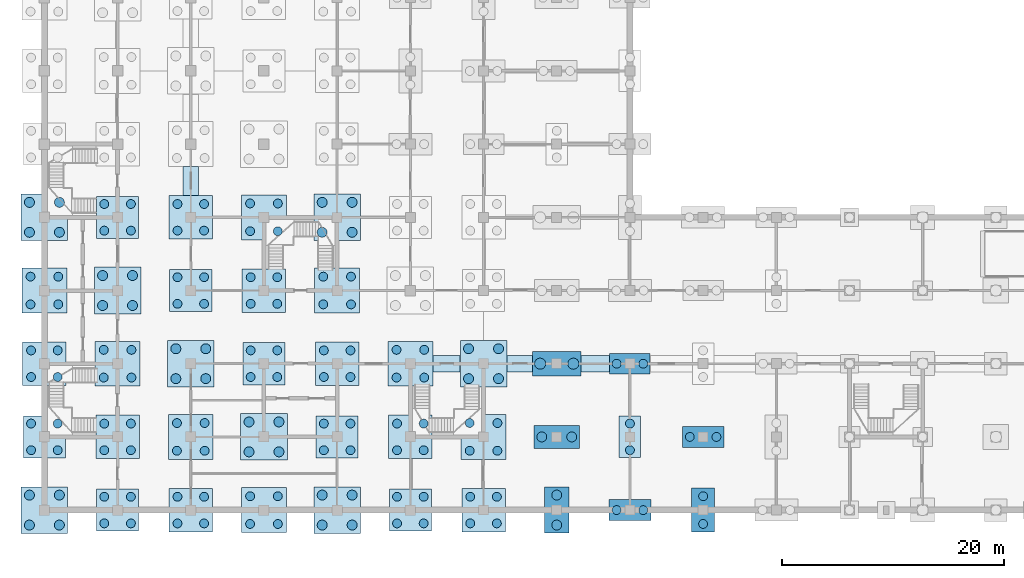
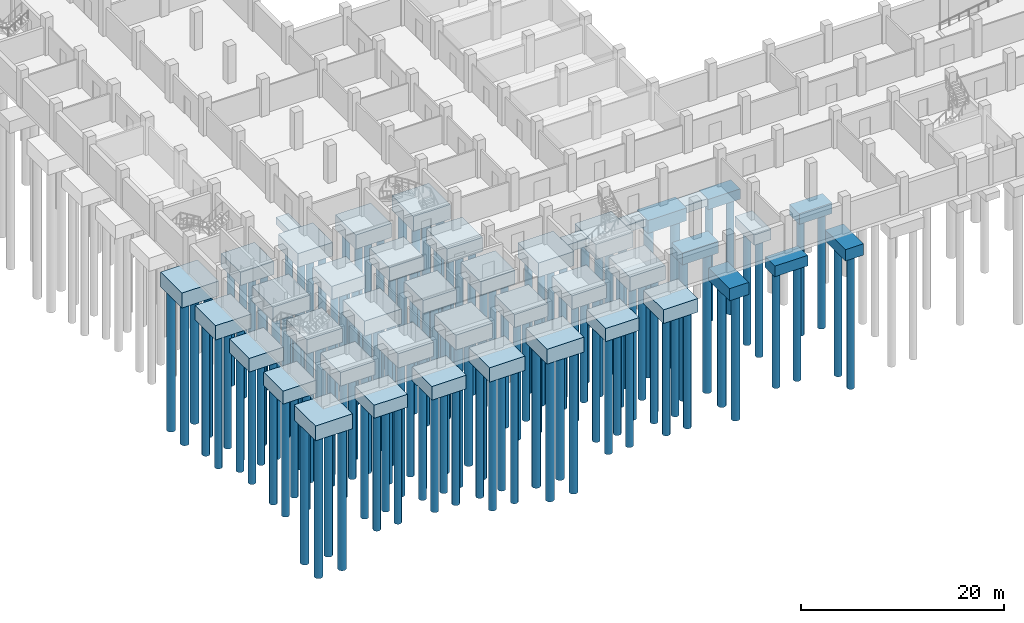
# One storey, part 1 of 18: 140 piles, 43 footings.
"""IFC4 building model written with IfcOpenShell, lengths in metres."""

from ifc_helpers import new_model, si_unit, direction, frame, origin, origin_2d, place, context, subcontext, project, spatial, rectangle, circle, extrude, material, material_profile, profile_set, type_object, element, save


model = new_model("IFC4")

# Units and contexts
model_context = context("Model", 3, precision=1e-05, world=origin(), true_north=direction((0.0, 1.0)))
body_context = subcontext(model_context, "Body", "Model", "MODEL_VIEW")
ifc_project = project(units=[si_unit("LENGTHUNIT", "METRE"), si_unit("AREAUNIT", "SQUARE_METRE"), si_unit("VOLUMEUNIT", "CUBIC_METRE"), si_unit("PLANEANGLEUNIT", "RADIAN"), si_unit("MASSUNIT", "GRAM", prefix="KILO")], contexts=[model_context])

# Site, building, storey
site_placement = place(None, origin())
site = spatial("IfcSite", under=ifc_project, at=site_placement, CompositionType="ELEMENT")
building_placement = place(site_placement, origin())
building = spatial("IfcBuilding", under=site, at=building_placement, Name="Rusizi Kubbe Research Institute", CompositionType="ELEMENT")
storey_placement = place(building_placement, frame((0.0, 0.0, -4.5)))
storey = spatial("IfcBuildingStorey", under=building, at=storey_placement, Name="B01", CompositionType="ELEMENT", Elevation=-4.5)

# Piles
ifc_material_1 = material(Name="Concrete C40/50", Category="concrete")
ifc_material_profile_1 = material_profile(ifc_material_1, circle(Radius=0.39990234375, at=origin_2d()), Name="PILE-D800")
ifc_profile_set_1 = profile_set([ifc_material_profile_1], Name="Concrete C40/50")
pile_type_1 = type_object("IfcPileType", Name="P-01", PredefinedType="BORED", material=ifc_profile_set_1)
for number, where, z_axis, x_axis, name in (
    (1, (-1.199951171875, 5.39990234375, -2.280029296875), (0.0, 0.0, -1.0), (1.0, 0.0, 0.0), "Bored Pile P-01 (0,1)-1"),
    (2, (1.199951171875, 5.39990234375, -2.280029296875), (0.0, 0.0, -1.0), (1.0, 0.0, 0.0), "Bored Pile P-01 (0,1)-2"),
    (3, (-1.199951171875, 7.800048828125, -2.280029296875), (0.0, 0.0, -1.0), (1.0, 0.0, 0.0), "Bored Pile P-01 (0,1)-3"),
    (4, (1.199951171875, 7.800048828125, -2.280029296875), (0.0, 0.0, -1.0), (1.0, 0.0, 0.0), "Bored Pile P-01 (0,1)-4"),
    (5, (-1.199951171875, 12.0, -2.35009765625), (0.0, 0.0, -1.0), (1.0, 0.0, 0.0), "Bored Pile P-01 (0,2)-1"),
    (6, (1.199951171875, 12.0, -2.35009765625), (0.0, 0.0, -1.0), (1.0, 0.0, 0.0), "Bored Pile P-01 (0,2)-2"),
    (7, (-1.199951171875, 14.39990234375, -2.35009765625), (0.0, 0.0, -1.0), (1.0, 0.0, 0.0), "Bored Pile P-01 (0,2)-3"),
    (8, (1.199951171875, 14.39990234375, -2.35009765625), (0.0, 0.0, -1.0), (1.0, 0.0, 0.0), "Bored Pile P-01 (0,2)-4"),
    (9, (5.39990234375, -1.199951171875, -2.280029296875), (0.0, 0.0, -1.0), (1.0, 0.0, 0.0), "Bored Pile P-01 (1,0)-1"),
    (10, (7.800048828125, -1.199951171875, -2.280029296875), (0.0, 0.0, -1.0), (1.0, 0.0, 0.0), "Bored Pile P-01 (1,0)-2"),
    (11, (5.39990234375, 1.199951171875, -2.280029296875), (0.0, 0.0, -1.0), (1.0, 0.0, 0.0), "Bored Pile P-01 (1,0)-3"),
    (12, (7.800048828125, 1.199951171875, -2.280029296875), (0.0, 0.0, -1.0), (1.0, 0.0, 0.0), "Bored Pile P-01 (1,0)-4"),
    (13, (5.39990234375, 5.39990234375, -2.35009765625), (0.0, 0.0, -1.0), (1.0, 0.0, 0.0), "Bored Pile P-01 (1,1)-1"),
    (14, (7.800048828125, 5.39990234375, -2.35009765625), (0.0, 0.0, -1.0), (1.0, 0.0, 0.0), "Bored Pile P-01 (1,1)-2"),
    (15, (5.39990234375, 7.800048828125, -2.35009765625), (0.0, 0.0, -1.0), (1.0, 0.0, 0.0), "Bored Pile P-01 (1,1)-3"),
    (16, (7.800048828125, 7.800048828125, -2.35009765625), (0.0, 0.0, -1.0), (1.0, 0.0, 0.0), "Bored Pile P-01 (1,1)-4"),
    (17, (5.39990234375, 25.199951171875, -2.280029296875), (0.0, 0.0, -1.0), (1.0, 0.0, 0.0), "Bored Pile P-01 (1,4)-1"),
    (18, (7.800048828125, 25.199951171875, -2.280029296875), (0.0, 0.0, -1.0), (1.0, 0.0, 0.0), "Bored Pile P-01 (1,4)-2"),
    (19, (5.39990234375, 27.60009765625, -2.280029296875), (0.0, 0.0, -1.0), (1.0, 0.0, 0.0), "Bored Pile P-01 (1,4)-3"),
    (20, (7.800048828125, 27.60009765625, -2.280029296875), (0.0, 0.0, -1.0), (1.0, 0.0, 0.0), "Bored Pile P-01 (1,4)-4"),
    (21, (12.0, -1.199951171875, -2.35009765625), (0.0, 0.0, -1.0), (1.0, 0.0, 0.0), "Bored Pile P-01 (2,0)-1"),
    (22, (14.39990234375, -1.199951171875, -2.35009765625), (0.0, 0.0, -1.0), (1.0, 0.0, 0.0), "Bored Pile P-01 (2,0)-2"),
    (23, (12.0, 1.199951171875, -2.35009765625), (0.0, 0.0, -1.0), (1.0, 0.0, 0.0), "Bored Pile P-01 (2,0)-3"),
    (24, (14.39990234375, 1.199951171875, -2.35009765625), (0.0, 0.0, -1.0), (1.0, 0.0, 0.0), "Bored Pile P-01 (2,0)-4"),
    (25, (12.0, 18.60009765625, -2.280029296875), (0.0, 0.0, -1.0), (1.0, 0.0, 0.0), "Bored Pile P-01 (2,3)-1"),
    (26, (14.39990234375, 18.60009765625, -2.280029296875), (0.0, 0.0, -1.0), (1.0, 0.0, 0.0), "Bored Pile P-01 (2,3)-2"),
    (27, (12.0, 21.0, -2.280029296875), (0.0, 0.0, -1.0), (1.0, 0.0, 0.0), "Bored Pile P-01 (2,3)-3"),
    (28, (14.39990234375, 21.0, -2.280029296875), (0.0, 0.0, -1.0), (1.0, 0.0, 0.0), "Bored Pile P-01 (2,3)-4"),
    (29, (12.0, 25.199951171875, -2.35009765625), (0.0, 0.0, -1.0), (1.0, 0.0, 0.0), "Bored Pile P-01 (2,4)-1"),
    (30, (14.39990234375, 25.199951171875, -2.35009765625), (0.0, 0.0, -1.0), (1.0, 0.0, 0.0), "Bored Pile P-01 (2,4)-2"),
    (31, (12.0, 27.60009765625, -2.35009765625), (0.0, 0.0, -1.0), (1.0, 0.0, 0.0), "Bored Pile P-01 (2,4)-3"),
    (32, (14.39990234375, 27.60009765625, -2.35009765625), (0.0, 0.0, -1.0), (1.0, 0.0, 0.0), "Bored Pile P-01 (2,4)-4"),
    (33, (18.60009765625, 12.0, -2.280029296875), (0.0, 0.0, -1.0), (1.0, 0.0, 0.0), "Bored Pile P-01 (3,2)-1"),
    (34, (21.0, 12.0, -2.280029296875), (0.0, 0.0, -1.0), (1.0, 0.0, 0.0), "Bored Pile P-01 (3,2)-2"),
    (35, (18.60009765625, 14.39990234375, -2.280029296875), (0.0, 0.0, -1.0), (1.0, 0.0, 0.0), "Bored Pile P-01 (3,2)-3"),
    (36, (21.0, 14.39990234375, -2.280029296875), (0.0, 0.0, -1.0), (1.0, 0.0, 0.0), "Bored Pile P-01 (3,2)-4"),
    (37, (18.60009765625, 18.60009765625, -2.35009765625), (0.0, 0.0, -1.0), (1.0, 0.0, 0.0), "Bored Pile P-01 (3,3)-1"),
    (38, (21.0, 18.60009765625, -2.35009765625), (0.0, 0.0, -1.0), (1.0, 0.0, 0.0), "Bored Pile P-01 (3,3)-2"),
    (39, (18.60009765625, 21.0, -2.35009765625), (0.0, 0.0, -1.0), (1.0, 0.0, 0.0), "Bored Pile P-01 (3,3)-3"),
    (40, (21.0, 21.0, -2.35009765625), (0.0, 0.0, -1.0), (1.0, 0.0, 0.0), "Bored Pile P-01 (3,3)-4"),
    (41, (25.199951171875, 5.39990234375, -2.280029296875), (0.0, 0.0, -1.0), (1.0, 0.0, 0.0), "Bored Pile P-01 (4,1)-1"),
    (42, (27.60009765625, 5.39990234375, -2.280029296875), (0.0, 0.0, -1.0), (1.0, 0.0, 0.0), "Bored Pile P-01 (4,1)-2"),
    (43, (25.199951171875, 7.800048828125, -2.280029296875), (0.0, 0.0, -1.0), (1.0, 0.0, 0.0), "Bored Pile P-01 (4,1)-3"),
    (44, (27.60009765625, 7.800048828125, -2.280029296875), (0.0, 0.0, -1.0), (1.0, 0.0, 0.0), "Bored Pile P-01 (4,1)-4"),
    (45, (25.199951171875, 12.0, -2.35009765625), (0.0, 0.0, -1.0), (1.0, 0.0, 0.0), "Bored Pile P-01 (4,2)-1"),
    (46, (27.60009765625, 12.0, -2.35009765625), (0.0, 0.0, -1.0), (1.0, 0.0, 0.0), "Bored Pile P-01 (4,2)-2"),
    (47, (25.199951171875, 14.39990234375, -2.35009765625), (0.0, 0.0, -1.0), (1.0, 0.0, 0.0), "Bored Pile P-01 (4,2)-3"),
    (48, (27.60009765625, 14.39990234375, -2.35009765625), (0.0, 0.0, -1.0), (1.0, 0.0, 0.0), "Bored Pile P-01 (4,2)-4"),
    (49, (31.800048828125, -1.199951171875, -2.280029296875), (0.0, 0.0, -1.0), (1.0, 0.0, 0.0), "Bored Pile P-01 (5,0)-1"),
    (50, (34.199951171875, -1.199951171875, -2.280029296875), (0.0, 0.0, -1.0), (1.0, 0.0, 0.0), "Bored Pile P-01 (5,0)-2"),
    (51, (31.800048828125, 1.199951171875, -2.280029296875), (0.0, 0.0, -1.0), (1.0, 0.0, 0.0), "Bored Pile P-01 (5,0)-3"),
    (52, (34.199951171875, 1.199951171875, -2.280029296875), (0.0, 0.0, -1.0), (1.0, 0.0, 0.0), "Bored Pile P-01 (5,0)-4"),
    (53, (31.800048828125, 5.39990234375, -2.35009765625), (0.0, 0.0, -1.0), (1.0, 0.0, 0.0), "Bored Pile P-01 (5,1)-1"),
    (54, (34.199951171875, 5.39990234375, -2.35009765625), (0.0, 0.0, -1.0), (1.0, 0.0, 0.0), "Bored Pile P-01 (5,1)-2"),
    (55, (31.800048828125, 7.800048828125, -2.35009765625), (0.0, 0.0, -1.0), (1.0, 0.0, 0.0), "Bored Pile P-01 (5,1)-3"),
    (56, (34.199951171875, 7.800048828125, -2.35009765625), (0.0, 0.0, -1.0), (1.0, 0.0, 0.0), "Bored Pile P-01 (5,1)-4"),
    (57, (38.39990234375, -1.199951171875, -2.35009765625), (0.0, 0.0, -1.0), (1.0, 0.0, 0.0), "Bored Pile P-01 (6,0)-1"),
    (58, (40.800048828125, -1.199951171875, -2.35009765625), (0.0, 0.0, -1.0), (1.0, 0.0, 0.0), "Bored Pile P-01 (6,0)-2"),
    (59, (38.39990234375, 1.199951171875, -2.35009765625), (0.0, 0.0, -1.0), (1.0, 0.0, 0.0), "Bored Pile P-01 (6,0)-3"),
    (60, (40.800048828125, 1.199951171875, -2.35009765625), (0.0, 0.0, -1.0), (1.0, 0.0, 0.0), "Bored Pile P-01 (6,0)-4"),
    (61, (51.60009765625, 0.0, -1.97998046875), (0.0, 0.0, -1.0), (1.0, 0.0, 0.0), "Bored Pile P-01 (8,0)-1"),
    (62, (54.0, 0.0, -1.97998046875), (0.0, 0.0, -1.0), (1.0, 0.0, 0.0), "Bored Pile P-01 (8,0)-2"),
    (63, (52.800048828125, 5.39990234375, -1.9599609375), (0.0, 0.0, -1.0), (1.0, 0.0, 0.0), "Bored Pile P-01 (8,1)-1"),
    (64, (52.800048828125, 7.800048828125, -1.9599609375), (0.0, 0.0, -1.0), (1.0, 0.0, 0.0), "Bored Pile P-01 (8,1)-2"),
    (65, (51.60009765625, 13.199951171875, -1.93994140625), (0.0, 0.0, -1.0), (1.0, 0.0, 0.0), "Bored Pile P-01 (8,2)-1"),
    (66, (54.0, 13.199951171875, -1.93994140625), (0.0, 0.0, -1.0), (1.0, 0.0, 0.0), "Bored Pile P-01 (8,2)-2"),
    (67, (58.199951171875, 6.60009765625, -1.97998046875), (0.0, 0.0, -1.0), (1.0, 0.0, 0.0), "Bored Pile P-01 (9,1)-1"),
    (68, (60.60009765625, 6.60009765625, -1.97998046875), (0.0, 0.0, -1.0), (1.0, 0.0, 0.0), "Bored Pile P-01 (9,1)-2"),
):
    element("IfcPile", number, at=place(storey_placement, frame(where, z_axis=z_axis, x_axis=x_axis)), inside=storey, type_object=pile_type_1, Name=name, PredefinedType="BORED", context=body_context, shape_type="SweptSolid", body=[
        extrude(circle(Radius=0.39990234375, at=origin_2d()), origin(), (0.0, 0.0, 1.0), 14.0),
    ])
ifc_material_2 = material(Name="Concrete C40/50", Category="concrete")
ifc_material_profile_2 = material_profile(ifc_material_2, circle(Radius=0.39990234375, at=origin_2d()), Name="PILE-D800")
ifc_profile_set_2 = profile_set([ifc_material_profile_2], Name="Concrete C40/50")
pile_type_2 = type_object("IfcPileType", Name="P-02", PredefinedType="BORED", material=ifc_profile_set_2)
for number, where, z_axis, x_axis, name in (
    (69, (-1.25, 18.550048828125, -2.419921875), (0.0, 0.0, -1.0), (1.0, 0.0, 0.0), "Bored Pile P-02 (0,3)-1"),
    (70, (1.25, 18.550048828125, -2.419921875), (0.0, 0.0, -1.0), (1.0, 0.0, 0.0), "Bored Pile P-02 (0,3)-2"),
    (71, (-1.25, 21.050048828125, -2.419921875), (0.0, 0.0, -1.0), (1.0, 0.0, 0.0), "Bored Pile P-02 (0,3)-3"),
    (72, (1.25, 21.050048828125, -2.419921875), (0.0, 0.0, -1.0), (1.0, 0.0, 0.0), "Bored Pile P-02 (0,3)-4"),
    (73, (5.35009765625, 11.949951171875, -2.419921875), (0.0, 0.0, -1.0), (1.0, 0.0, 0.0), "Bored Pile P-02 (1,2)-1"),
    (74, (7.85009765625, 11.949951171875, -2.419921875), (0.0, 0.0, -1.0), (1.0, 0.0, 0.0), "Bored Pile P-02 (1,2)-2"),
    (75, (5.35009765625, 14.449951171875, -2.419921875), (0.0, 0.0, -1.0), (1.0, 0.0, 0.0), "Bored Pile P-02 (1,2)-3"),
    (76, (7.85009765625, 14.449951171875, -2.419921875), (0.0, 0.0, -1.0), (1.0, 0.0, 0.0), "Bored Pile P-02 (1,2)-4"),
    (77, (11.949951171875, 5.35009765625, -2.419921875), (0.0, 0.0, -1.0), (1.0, 0.0, 0.0), "Bored Pile P-02 (2,1)-1"),
    (78, (14.449951171875, 5.35009765625, -2.419921875), (0.0, 0.0, -1.0), (1.0, 0.0, 0.0), "Bored Pile P-02 (2,1)-2"),
    (79, (11.949951171875, 7.85009765625, -2.419921875), (0.0, 0.0, -1.0), (1.0, 0.0, 0.0), "Bored Pile P-02 (2,1)-3"),
    (80, (14.449951171875, 7.85009765625, -2.419921875), (0.0, 0.0, -1.0), (1.0, 0.0, 0.0), "Bored Pile P-02 (2,1)-4"),
    (81, (18.550048828125, -1.25, -2.419921875), (0.0, 0.0, -1.0), (1.0, 0.0, 0.0), "Bored Pile P-02 (3,0)-1"),
    (82, (21.050048828125, -1.25, -2.419921875), (0.0, 0.0, -1.0), (1.0, 0.0, 0.0), "Bored Pile P-02 (3,0)-2"),
    (83, (18.550048828125, 1.25, -2.419921875), (0.0, 0.0, -1.0), (1.0, 0.0, 0.0), "Bored Pile P-02 (3,0)-3"),
    (84, (21.050048828125, 1.25, -2.419921875), (0.0, 0.0, -1.0), (1.0, 0.0, 0.0), "Bored Pile P-02 (3,0)-4"),
    (85, (18.550048828125, 25.14990234375, -2.419921875), (0.0, 0.0, -1.0), (1.0, 0.0, 0.0), "Bored Pile P-02 (3,4)-1"),
    (86, (21.050048828125, 25.14990234375, -2.419921875), (0.0, 0.0, -1.0), (1.0, 0.0, 0.0), "Bored Pile P-02 (3,4)-2"),
    (87, (18.550048828125, 27.64990234375, -2.419921875), (0.0, 0.0, -1.0), (1.0, 0.0, 0.0), "Bored Pile P-02 (3,4)-3"),
    (88, (21.050048828125, 27.64990234375, -2.419921875), (0.0, 0.0, -1.0), (1.0, 0.0, 0.0), "Bored Pile P-02 (3,4)-4"),
    (89, (25.14990234375, 18.550048828125, -2.419921875), (0.0, 0.0, -1.0), (1.0, 0.0, 0.0), "Bored Pile P-02 (4,3)-1"),
    (90, (27.64990234375, 18.550048828125, -2.419921875), (0.0, 0.0, -1.0), (1.0, 0.0, 0.0), "Bored Pile P-02 (4,3)-2"),
    (91, (25.14990234375, 21.050048828125, -2.419921875), (0.0, 0.0, -1.0), (1.0, 0.0, 0.0), "Bored Pile P-02 (4,3)-3"),
    (92, (27.64990234375, 21.050048828125, -2.419921875), (0.0, 0.0, -1.0), (1.0, 0.0, 0.0), "Bored Pile P-02 (4,3)-4"),
    (93, (31.75, 11.949951171875, -2.419921875), (0.0, 0.0, -1.0), (1.0, 0.0, 0.0), "Bored Pile P-02 (5,2)-1"),
    (94, (34.25, 11.949951171875, -2.419921875), (0.0, 0.0, -1.0), (1.0, 0.0, 0.0), "Bored Pile P-02 (5,2)-2"),
    (95, (31.75, 14.449951171875, -2.419921875), (0.0, 0.0, -1.0), (1.0, 0.0, 0.0), "Bored Pile P-02 (5,2)-3"),
    (96, (34.25, 14.449951171875, -2.419921875), (0.0, 0.0, -1.0), (1.0, 0.0, 0.0), "Bored Pile P-02 (5,2)-4"),
    (97, (38.35009765625, 5.35009765625, -2.419921875), (0.0, 0.0, -1.0), (1.0, 0.0, 0.0), "Bored Pile P-02 (6,1)-1"),
    (98, (40.85009765625, 5.35009765625, -2.419921875), (0.0, 0.0, -1.0), (1.0, 0.0, 0.0), "Bored Pile P-02 (6,1)-2"),
    (99, (38.35009765625, 7.85009765625, -2.419921875), (0.0, 0.0, -1.0), (1.0, 0.0, 0.0), "Bored Pile P-02 (6,1)-3"),
    (100, (40.85009765625, 7.85009765625, -2.419921875), (0.0, 0.0, -1.0), (1.0, 0.0, 0.0), "Bored Pile P-02 (6,1)-4"),
    (101, (59.39990234375, -1.25, -2.06005859375), (0.0, 0.0, -1.0), (1.0, 0.0, 0.0), "Bored Pile P-02 (9,0)-1"),
    (102, (59.39990234375, 1.25, -2.06005859375), (0.0, 0.0, -1.0), (1.0, 0.0, 0.0), "Bored Pile P-02 (9,0)-2"),
):
    element("IfcPile", number, at=place(storey_placement, frame(where, z_axis=z_axis, x_axis=x_axis)), inside=storey, type_object=pile_type_2, Name=name, PredefinedType="BORED", context=body_context, shape_type="SweptSolid", body=[
        extrude(circle(Radius=0.39990234375, at=origin_2d()), origin(), (0.0, 0.0, 1.0), 16.0),
    ])
ifc_material_3 = material(Name="Concrete C40/50", Category="concrete")
ifc_material_profile_3 = material_profile(ifc_material_3, circle(Radius=0.449951171875, at=origin_2d()), Name="PILE-D900")
ifc_profile_set_3 = profile_set([ifc_material_profile_3], Name="Concrete C40/50")
pile_type_3 = type_object("IfcPileType", Name="P-03", PredefinedType="BORED", material=ifc_profile_set_3)
for number, where, z_axis, x_axis, name in (
    (103, (46.199951171875, -1.35009765625, -2.159912109375), (0.0, 0.0, -1.0), (1.0, 0.0, 0.0), "Bored Pile P-03 (7,0)-1"),
    (104, (46.199951171875, 1.35009765625, -2.159912109375), (0.0, 0.0, -1.0), (1.0, 0.0, 0.0), "Bored Pile P-03 (7,0)-2"),
):
    element("IfcPile", number, at=place(storey_placement, frame(where, z_axis=z_axis, x_axis=x_axis)), inside=storey, type_object=pile_type_3, Name=name, PredefinedType="BORED", context=body_context, shape_type="SweptSolid", body=[
        extrude(circle(Radius=0.449951171875, at=origin_2d()), origin(), (0.0, 0.0, 1.0), 15.0),
    ])
ifc_material_4 = material(Name="Concrete C40/50", Category="concrete")
ifc_material_profile_4 = material_profile(ifc_material_4, circle(Radius=0.449951171875, at=origin_2d()), Name="PILE-D900")
ifc_profile_set_4 = profile_set([ifc_material_profile_4], Name="Concrete C40/50")
pile_type_4 = type_object("IfcPileType", Name="P-04", PredefinedType="BORED", material=ifc_profile_set_4)
for number, where, z_axis, x_axis, name in (
    (105, (-1.35009765625, -1.35009765625, -2.5), (0.0, 0.0, -1.0), (1.0, 0.0, 0.0), "Bored Pile P-04 (0,0)-1"),
    (106, (1.35009765625, -1.35009765625, -2.5), (0.0, 0.0, -1.0), (1.0, 0.0, 0.0), "Bored Pile P-04 (0,0)-2"),
    (107, (-1.35009765625, 1.35009765625, -2.5), (0.0, 0.0, -1.0), (1.0, 0.0, 0.0), "Bored Pile P-04 (0,0)-3"),
    (108, (1.35009765625, 1.35009765625, -2.5), (0.0, 0.0, -1.0), (1.0, 0.0, 0.0), "Bored Pile P-04 (0,0)-4"),
    (109, (-1.35009765625, 25.050048828125, -2.5), (0.0, 0.0, -1.0), (1.0, 0.0, 0.0), "Bored Pile P-04 (0,4)-1"),
    (110, (1.35009765625, 25.050048828125, -2.5), (0.0, 0.0, -1.0), (1.0, 0.0, 0.0), "Bored Pile P-04 (0,4)-2"),
    (111, (-1.35009765625, 27.75, -2.5), (0.0, 0.0, -1.0), (1.0, 0.0, 0.0), "Bored Pile P-04 (0,4)-3"),
    (112, (1.35009765625, 27.75, -2.5), (0.0, 0.0, -1.0), (1.0, 0.0, 0.0), "Bored Pile P-04 (0,4)-4"),
    (113, (5.25, 18.449951171875, -2.5), (0.0, 0.0, -1.0), (1.0, 0.0, 0.0), "Bored Pile P-04 (1,3)-1"),
    (114, (7.949951171875, 18.449951171875, -2.5), (0.0, 0.0, -1.0), (1.0, 0.0, 0.0), "Bored Pile P-04 (1,3)-2"),
    (115, (5.25, 21.14990234375, -2.5), (0.0, 0.0, -1.0), (1.0, 0.0, 0.0), "Bored Pile P-04 (1,3)-3"),
    (116, (7.949951171875, 21.14990234375, -2.5), (0.0, 0.0, -1.0), (1.0, 0.0, 0.0), "Bored Pile P-04 (1,3)-4"),
    (117, (11.85009765625, 11.85009765625, -2.5), (0.0, 0.0, -1.0), (1.0, 0.0, 0.0), "Bored Pile P-04 (2,2)-1"),
    (118, (14.550048828125, 11.85009765625, -2.5), (0.0, 0.0, -1.0), (1.0, 0.0, 0.0), "Bored Pile P-04 (2,2)-2"),
    (119, (11.85009765625, 14.550048828125, -2.5), (0.0, 0.0, -1.0), (1.0, 0.0, 0.0), "Bored Pile P-04 (2,2)-3"),
    (120, (14.550048828125, 14.550048828125, -2.5), (0.0, 0.0, -1.0), (1.0, 0.0, 0.0), "Bored Pile P-04 (2,2)-4"),
    (121, (18.449951171875, 5.25, -2.5), (0.0, 0.0, -1.0), (1.0, 0.0, 0.0), "Bored Pile P-04 (3,1)-1"),
    (122, (21.14990234375, 5.25, -2.5), (0.0, 0.0, -1.0), (1.0, 0.0, 0.0), "Bored Pile P-04 (3,1)-2"),
    (123, (18.449951171875, 7.949951171875, -2.5), (0.0, 0.0, -1.0), (1.0, 0.0, 0.0), "Bored Pile P-04 (3,1)-3"),
    (124, (21.14990234375, 7.949951171875, -2.5), (0.0, 0.0, -1.0), (1.0, 0.0, 0.0), "Bored Pile P-04 (3,1)-4"),
    (125, (25.050048828125, -1.35009765625, -2.5), (0.0, 0.0, -1.0), (1.0, 0.0, 0.0), "Bored Pile P-04 (4,0)-1"),
    (126, (27.75, -1.35009765625, -2.5), (0.0, 0.0, -1.0), (1.0, 0.0, 0.0), "Bored Pile P-04 (4,0)-2"),
    (127, (25.050048828125, 1.35009765625, -2.5), (0.0, 0.0, -1.0), (1.0, 0.0, 0.0), "Bored Pile P-04 (4,0)-3"),
    (128, (27.75, 1.35009765625, -2.5), (0.0, 0.0, -1.0), (1.0, 0.0, 0.0), "Bored Pile P-04 (4,0)-4"),
    (129, (25.050048828125, 25.050048828125, -2.5), (0.0, 0.0, -1.0), (1.0, 0.0, 0.0), "Bored Pile P-04 (4,4)-1"),
    (130, (27.75, 25.050048828125, -2.5), (0.0, 0.0, -1.0), (1.0, 0.0, 0.0), "Bored Pile P-04 (4,4)-2"),
    (131, (25.050048828125, 27.75, -2.5), (0.0, 0.0, -1.0), (1.0, 0.0, 0.0), "Bored Pile P-04 (4,4)-3"),
    (132, (27.75, 27.75, -2.5), (0.0, 0.0, -1.0), (1.0, 0.0, 0.0), "Bored Pile P-04 (4,4)-4"),
    (133, (38.25, 11.85009765625, -2.5), (0.0, 0.0, -1.0), (1.0, 0.0, 0.0), "Bored Pile P-04 (6,2)-1"),
    (134, (40.949951171875, 11.85009765625, -2.5), (0.0, 0.0, -1.0), (1.0, 0.0, 0.0), "Bored Pile P-04 (6,2)-2"),
    (135, (38.25, 14.550048828125, -2.5), (0.0, 0.0, -1.0), (1.0, 0.0, 0.0), "Bored Pile P-04 (6,2)-3"),
    (136, (40.949951171875, 14.550048828125, -2.5), (0.0, 0.0, -1.0), (1.0, 0.0, 0.0), "Bored Pile P-04 (6,2)-4"),
    (137, (44.85009765625, 6.60009765625, -2.139892578125), (0.0, 0.0, -1.0), (1.0, 0.0, 0.0), "Bored Pile P-04 (7,1)-1"),
    (138, (47.550048828125, 6.60009765625, -2.139892578125), (0.0, 0.0, -1.0), (1.0, 0.0, 0.0), "Bored Pile P-04 (7,1)-2"),
):
    element("IfcPile", number, at=place(storey_placement, frame(where, z_axis=z_axis, x_axis=x_axis)), inside=storey, type_object=pile_type_4, Name=name, PredefinedType="BORED", context=body_context, shape_type="SweptSolid", body=[
        extrude(circle(Radius=0.449951171875, at=origin_2d()), origin(), (0.0, 0.0, 1.0), 17.0),
    ])
ifc_material_5 = material(Name="Concrete C40/50", Category="concrete")
ifc_material_profile_5 = material_profile(ifc_material_5, circle(Radius=0.5, at=origin_2d()), Name="PILE-D1000")
ifc_profile_set_5 = profile_set([ifc_material_profile_5], Name="Concrete C40/50")
pile_type_5 = type_object("IfcPileType", Name="P-06", PredefinedType="BORED", material=ifc_profile_set_5)
for number, where, z_axis, x_axis, name in (
    (139, (44.699951171875, 13.199951171875, -2.25), (0.0, 0.0, -1.0), (1.0, 0.0, 0.0), "Bored Pile P-06 (7,2)-1"),
    (140, (47.699951171875, 13.199951171875, -2.25), (0.0, 0.0, -1.0), (1.0, 0.0, 0.0), "Bored Pile P-06 (7,2)-2"),
):
    element("IfcPile", number, at=place(storey_placement, frame(where, z_axis=z_axis, x_axis=x_axis)), inside=storey, type_object=pile_type_5, Name=name, PredefinedType="BORED", context=body_context, shape_type="SweptSolid", body=[
        extrude(circle(Radius=0.5, at=origin_2d()), origin(), (0.0, 0.0, 1.0), 18.0),
    ])

# Footings
ifc_material_6 = material(Name="Concrete C40/50", Category="concrete")
footing_type_1 = type_object("IfcFootingType", Name="PC-01", PredefinedType="PILE_CAP", material=ifc_material_6)
for number, where, z_axis, x_axis, name in (
    (141, (0.0, 0.0, -2.5), (0.0, 0.0, 1.0), (1.0, 0.0, 0.0), "Pile Cap PC-01 (0,0)"),
    (142, (0.0, 26.39990234375, -2.5), (0.0, 0.0, 1.0), (1.0, 0.0, 0.0), "Pile Cap PC-01 (0,4)"),
    (143, (6.60009765625, 19.800048828125, -2.5), (0.0, 0.0, 1.0), (1.0, 0.0, 0.0), "Pile Cap PC-01 (1,3)"),
    (144, (13.199951171875, 13.199951171875, -2.5), (0.0, 0.0, 1.0), (1.0, 0.0, 0.0), "Pile Cap PC-01 (2,2)"),
    (145, (19.800048828125, 6.60009765625, -2.5), (0.0, 0.0, 1.0), (1.0, 0.0, 0.0), "Pile Cap PC-01 (3,1)"),
    (146, (26.39990234375, 0.0, -2.5), (0.0, 0.0, 1.0), (1.0, 0.0, 0.0), "Pile Cap PC-01 (4,0)"),
    (147, (26.39990234375, 26.39990234375, -2.5), (0.0, 0.0, 1.0), (1.0, 0.0, 0.0), "Pile Cap PC-01 (4,4)"),
    (148, (39.60009765625, 13.199951171875, -2.5), (0.0, 0.0, 1.0), (1.0, 0.0, 0.0), "Pile Cap PC-01 (6,2)"),
):
    element("IfcFooting", number, at=place(storey_placement, frame(where, z_axis=z_axis, x_axis=x_axis)), inside=storey, type_object=footing_type_1, Name=name, PredefinedType="PILE_CAP", context=body_context, shape_type="SweptSolid", body=[
        extrude(rectangle(XDim=4.199951171875, YDim=4.199951171875, at=origin_2d()), origin(), (0.0, 0.0, 1.0), 1.800048828125),
    ])
ifc_material_7 = material(Name="Concrete C40/50", Category="concrete")
footing_type_2 = type_object("IfcFootingType", Name="PC-02", PredefinedType="PILE_CAP", material=ifc_material_7)
for number, where, z_axis, x_axis, name in (
    (149, (0.0, 19.800048828125, -2.419921875), (0.0, 0.0, 1.0), (1.0, 0.0, 0.0), "Pile Cap PC-02 (0,3)"),
    (150, (6.60009765625, 13.199951171875, -2.419921875), (0.0, 0.0, 1.0), (1.0, 0.0, 0.0), "Pile Cap PC-02 (1,2)"),
    (151, (13.199951171875, 6.60009765625, -2.419921875), (0.0, 0.0, 1.0), (1.0, 0.0, 0.0), "Pile Cap PC-02 (2,1)"),
    (152, (19.800048828125, 0.0, -2.419921875), (0.0, 0.0, 1.0), (1.0, 0.0, 0.0), "Pile Cap PC-02 (3,0)"),
    (153, (19.800048828125, 26.39990234375, -2.419921875), (0.0, 0.0, 1.0), (1.0, 0.0, 0.0), "Pile Cap PC-02 (3,4)"),
    (154, (26.39990234375, 19.800048828125, -2.419921875), (0.0, 0.0, 1.0), (1.0, 0.0, 0.0), "Pile Cap PC-02 (4,3)"),
    (155, (33.0, 13.199951171875, -2.419921875), (0.0, 0.0, 1.0), (1.0, 0.0, 0.0), "Pile Cap PC-02 (5,2)"),
    (156, (39.60009765625, 6.60009765625, -2.419921875), (0.0, 0.0, 1.0), (1.0, 0.0, 0.0), "Pile Cap PC-02 (6,1)"),
):
    element("IfcFooting", number, at=place(storey_placement, frame(where, z_axis=z_axis, x_axis=x_axis)), inside=storey, type_object=footing_type_2, Name=name, PredefinedType="PILE_CAP", context=body_context, shape_type="SweptSolid", body=[
        extrude(rectangle(XDim=4.050048828125, YDim=4.050048828125, at=origin_2d()), origin(), (0.0, 0.0, 1.0), 1.719970703125),
    ])
ifc_material_8 = material(Name="Concrete C40/50", Category="concrete")
footing_type_3 = type_object("IfcFootingType", Name="PC-03", PredefinedType="PILE_CAP", material=ifc_material_8)
for number, where, z_axis, x_axis, name in (
    (157, (0.0, 13.199951171875, -2.349853515625), (0.0, 0.0, 1.0), (1.0, 0.0, 0.0), "Pile Cap PC-03 (0,2)"),
    (158, (6.60009765625, 6.60009765625, -2.349853515625), (0.0, 0.0, 1.0), (1.0, 0.0, 0.0), "Pile Cap PC-03 (1,1)"),
    (159, (13.199951171875, 0.0, -2.349853515625), (0.0, 0.0, 1.0), (1.0, 0.0, 0.0), "Pile Cap PC-03 (2,0)"),
    (160, (13.199951171875, 26.39990234375, -2.349853515625), (0.0, 0.0, 1.0), (1.0, 0.0, 0.0), "Pile Cap PC-03 (2,4)"),
    (161, (19.800048828125, 19.800048828125, -2.349853515625), (0.0, 0.0, 1.0), (1.0, 0.0, 0.0), "Pile Cap PC-03 (3,3)"),
    (162, (26.39990234375, 13.199951171875, -2.349853515625), (0.0, 0.0, 1.0), (1.0, 0.0, 0.0), "Pile Cap PC-03 (4,2)"),
    (163, (33.0, 6.60009765625, -2.349853515625), (0.0, 0.0, 1.0), (1.0, 0.0, 0.0), "Pile Cap PC-03 (5,1)"),
    (164, (39.60009765625, 0.0, -2.349853515625), (0.0, 0.0, 1.0), (1.0, 0.0, 0.0), "Pile Cap PC-03 (6,0)"),
):
    element("IfcFooting", number, at=place(storey_placement, frame(where, z_axis=z_axis, x_axis=x_axis)), inside=storey, type_object=footing_type_3, Name=name, PredefinedType="PILE_CAP", context=body_context, shape_type="SweptSolid", body=[
        extrude(rectangle(XDim=3.919921875, YDim=3.919921875, at=origin_2d()), origin(), (0.0, 0.0, 1.0), 1.64990234375),
    ])
ifc_material_9 = material(Name="Concrete C40/50", Category="concrete")
footing_type_4 = type_object("IfcFootingType", Name="PC-04", PredefinedType="PILE_CAP", material=ifc_material_9)
for number, where, z_axis, x_axis, name in (
    (165, (0.0, 6.60009765625, -2.280029296875), (0.0, 0.0, 1.0), (1.0, 0.0, 0.0), "Pile Cap PC-04 (0,1)"),
    (166, (6.60009765625, 0.0, -2.280029296875), (0.0, 0.0, 1.0), (1.0, 0.0, 0.0), "Pile Cap PC-04 (1,0)"),
    (167, (6.60009765625, 26.39990234375, -2.280029296875), (0.0, 0.0, 1.0), (1.0, 0.0, 0.0), "Pile Cap PC-04 (1,4)"),
    (168, (13.199951171875, 19.800048828125, -2.280029296875), (0.0, 0.0, 1.0), (1.0, 0.0, 0.0), "Pile Cap PC-04 (2,3)"),
    (169, (19.800048828125, 13.199951171875, -2.280029296875), (0.0, 0.0, 1.0), (1.0, 0.0, 0.0), "Pile Cap PC-04 (3,2)"),
    (170, (26.39990234375, 6.60009765625, -2.280029296875), (0.0, 0.0, 1.0), (1.0, 0.0, 0.0), "Pile Cap PC-04 (4,1)"),
    (171, (33.0, 0.0, -2.280029296875), (0.0, 0.0, 1.0), (1.0, 0.0, 0.0), "Pile Cap PC-04 (5,0)"),
):
    element("IfcFooting", number, at=place(storey_placement, frame(where, z_axis=z_axis, x_axis=x_axis)), inside=storey, type_object=footing_type_4, Name=name, PredefinedType="PILE_CAP", context=body_context, shape_type="SweptSolid", body=[
        extrude(rectangle(XDim=3.800048828125, YDim=3.800048828125, at=origin_2d()), origin(), (0.0, 0.0, 1.0), 1.580078125),
    ])
ifc_material_10 = material(Name="Concrete C40/50", Category="concrete")
footing_type_5 = type_object("IfcFootingType", Name="PC-05", PredefinedType="PILE_CAP", material=ifc_material_10)
footing_1_placement = place(storey_placement, frame((46.199951171875, 13.199951171875, -2.25), z_axis=(0.0, 0.0, 1.0), x_axis=(1.0, 0.0, 0.0)))
element("IfcFooting", 172, at=footing_1_placement, inside=storey, type_object=footing_type_5, Name="Pile Cap PC-05 (7,2)", PredefinedType="PILE_CAP", context=body_context, shape_type="SweptSolid", body=[
    extrude(rectangle(XDim=4.39990234375, YDim=2.199951171875, at=origin_2d()), origin(), (0.0, 0.0, 1.0), 1.550048828125),
])
ifc_material_11 = material(Name="Concrete C40/50", Category="concrete")
footing_type_6 = type_object("IfcFootingType", Name="PC-07", PredefinedType="PILE_CAP", material=ifc_material_11)
footing_2_placement = place(storey_placement, frame((46.199951171875, 6.60009765625, -2.139892578125), z_axis=(0.0, 0.0, 1.0), x_axis=(1.0, 0.0, 0.0)))
element("IfcFooting", 173, at=footing_2_placement, inside=storey, type_object=footing_type_6, Name="Pile Cap PC-07 (7,1)", PredefinedType="PILE_CAP", context=body_context, shape_type="SweptSolid", body=[
    extrude(rectangle(XDim=4.1201171875, YDim=2.080078125, at=origin_2d()), origin(), (0.0, 0.0, 1.0), 1.43994140625),
])
ifc_material_12 = material(Name="Concrete C40/50", Category="concrete")
footing_type_7 = type_object("IfcFootingType", Name="PC-10", PredefinedType="PILE_CAP", material=ifc_material_12)
for number, where, z_axis, x_axis, name in (
    (174, (52.800048828125, 0.0, -1.97998046875), (0.0, 0.0, 1.0), (1.0, 0.0, 0.0), "Pile Cap PC-10 (8,0)"),
    (175, (59.39990234375, 6.60009765625, -1.97998046875), (0.0, 0.0, 1.0), (1.0, 0.0, 0.0), "Pile Cap PC-10 (9,1)"),
):
    element("IfcFooting", number, at=place(storey_placement, frame(where, z_axis=z_axis, x_axis=x_axis)), inside=storey, type_object=footing_type_7, Name=name, PredefinedType="PILE_CAP", context=body_context, shape_type="SweptSolid", body=[
        extrude(rectangle(XDim=3.760009765625, YDim=1.89990234375, at=origin_2d()), origin(), (0.0, 0.0, 1.0), 1.280029296875),
    ])
ifc_material_13 = material(Name="Concrete C40/50", Category="concrete")
footing_type_8 = type_object("IfcFootingType", Name="PC-11", PredefinedType="PILE_CAP", material=ifc_material_13)
footing_3_placement = place(storey_placement, frame((52.800048828125, 13.199951171875, -1.93994140625), z_axis=(0.0, 0.0, 1.0), x_axis=(1.0, 0.0, 0.0)))
element("IfcFooting", 176, at=footing_3_placement, inside=storey, type_object=footing_type_8, Name="Pile Cap PC-11 (8,2)", PredefinedType="PILE_CAP", context=body_context, shape_type="SweptSolid", body=[
    extrude(rectangle(XDim=3.659912109375, YDim=1.840087890625, at=origin_2d()), origin(), (0.0, 0.0, 1.0), 1.239990234375),
])
ifc_material_14 = material(Name="Concrete C40/50", Category="concrete")
footing_type_9 = type_object("IfcFootingType", Name="PC-12", PredefinedType="PILE_CAP", material=ifc_material_14)
footing_4_placement = place(storey_placement, frame((46.199951171875, 0.0, -2.159912109375), z_axis=(0.0, 0.0, 1.0), x_axis=(1.0, 0.0, 0.0)))
element("IfcFooting", 177, at=footing_4_placement, inside=storey, type_object=footing_type_9, Name="Pile Cap PC-12 (7,0)", PredefinedType="PILE_CAP", context=body_context, shape_type="SweptSolid", body=[
    extrude(rectangle(XDim=2.199951171875, YDim=4.159912109375, at=origin_2d()), origin(), (0.0, 0.0, 1.0), 1.4599609375),
])
ifc_material_15 = material(Name="Concrete C40/50", Category="concrete")
footing_type_10 = type_object("IfcFootingType", Name="PC-13", PredefinedType="PILE_CAP", material=ifc_material_15)
footing_5_placement = place(storey_placement, frame((59.39990234375, 0.0, -2.06005859375), z_axis=(0.0, 0.0, 1.0), x_axis=(1.0, 0.0, 0.0)))
element("IfcFooting", 178, at=footing_5_placement, inside=storey, type_object=footing_type_10, Name="Pile Cap PC-13 (9,0)", PredefinedType="PILE_CAP", context=body_context, shape_type="SweptSolid", body=[
    extrude(rectangle(XDim=2.06005859375, YDim=3.9599609375, at=origin_2d()), origin(), (0.0, 0.0, 1.0), 1.360107421875),
])
ifc_material_16 = material(Name="Concrete C40/50", Category="concrete")
footing_type_11 = type_object("IfcFootingType", Name="PC-14", PredefinedType="PILE_CAP", material=ifc_material_16)
footing_6_placement = place(storey_placement, frame((52.800048828125, 6.60009765625, -1.9599609375), z_axis=(0.0, 0.0, 1.0), x_axis=(1.0, 0.0, 0.0)))
element("IfcFooting", 179, at=footing_6_placement, inside=storey, type_object=footing_type_11, Name="Pile Cap PC-14 (8,1)", PredefinedType="PILE_CAP", context=body_context, shape_type="SweptSolid", body=[
    extrude(rectangle(XDim=1.93994140625, YDim=3.739990234375, at=origin_2d()), origin(), (0.0, 0.0, 1.0), 1.260009765625),
])
ifc_material_17 = material(Name="Concrete C40/50", Category="concrete")
footing_type_12 = type_object("IfcFootingType", Name="SF-01", PredefinedType="STRIP_FOOTING", material=ifc_material_17)
footing_7_placement = place(storey_placement, frame((13.199951171875, 29.66748046875, -1.56005859375), z_axis=(0.0, 0.0, 1.0), x_axis=(0.0, 1.0, 0.0)))
element("IfcFooting", 180, at=footing_7_placement, inside=storey, type_object=footing_type_12, Name="Continuous Strip Footing SF-01-01", PredefinedType="STRIP_FOOTING", context=body_context, shape_type="SweptSolid", body=[
    extrude(rectangle(XDim=2.59912109375, YDim=1.39990234375, at=origin_2d()), origin(), (0.0, 0.0, 1.0), 0.860107421875),
])
ifc_material_18 = material(Name="Concrete C40/50", Category="concrete")
footing_type_13 = type_object("IfcFootingType", Name="SF-02", PredefinedType="STRIP_FOOTING", material=ifc_material_18)
footing_8_placement = place(storey_placement, frame((36.262451171875, 13.199951171875, -1.599853515625), z_axis=(0.0, 0.0, 1.0), x_axis=(1.0, 0.0, 0.0)))
element("IfcFooting", 181, at=footing_8_placement, inside=storey, type_object=footing_type_13, Name="Continuous Strip Footing SF-02-09", PredefinedType="STRIP_FOOTING", context=body_context, shape_type="SweptSolid", body=[
    extrude(rectangle(XDim=2.458984375, YDim=1.52001953125, at=origin_2d()), origin(), (0.0, 0.0, 1.0), 0.89990234375),
])
footing_9_placement = place(storey_placement, frame((42.85009765625, 13.199951171875, -1.599853515625), z_axis=(0.0, 0.0, 1.0), x_axis=(1.0, 0.0, 0.0)))
element("IfcFooting", 182, at=footing_9_placement, inside=storey, type_object=footing_type_13, Name="Continuous Strip Footing SF-02-10", PredefinedType="STRIP_FOOTING", context=body_context, shape_type="SweptSolid", body=[
    extrude(rectangle(XDim=2.283935546875, YDim=1.52001953125, at=origin_2d()), origin(), (0.0, 0.0, 1.0), 0.89990234375),
])
footing_10_placement = place(storey_placement, frame((49.68505859375, 13.199951171875, -1.599853515625), z_axis=(0.0, 0.0, 1.0), x_axis=(1.0, 0.0, 0.0)))
element("IfcFooting", 183, at=footing_10_placement, inside=storey, type_object=footing_type_13, Name="Continuous Strip Footing SF-02-11", PredefinedType="STRIP_FOOTING", context=body_context, shape_type="SweptSolid", body=[
    extrude(rectangle(XDim=2.553955078125, YDim=1.52001953125, at=origin_2d()), origin(), (0.0, 0.0, 1.0), 0.89990234375),
])

save(model, "model.ifc")
